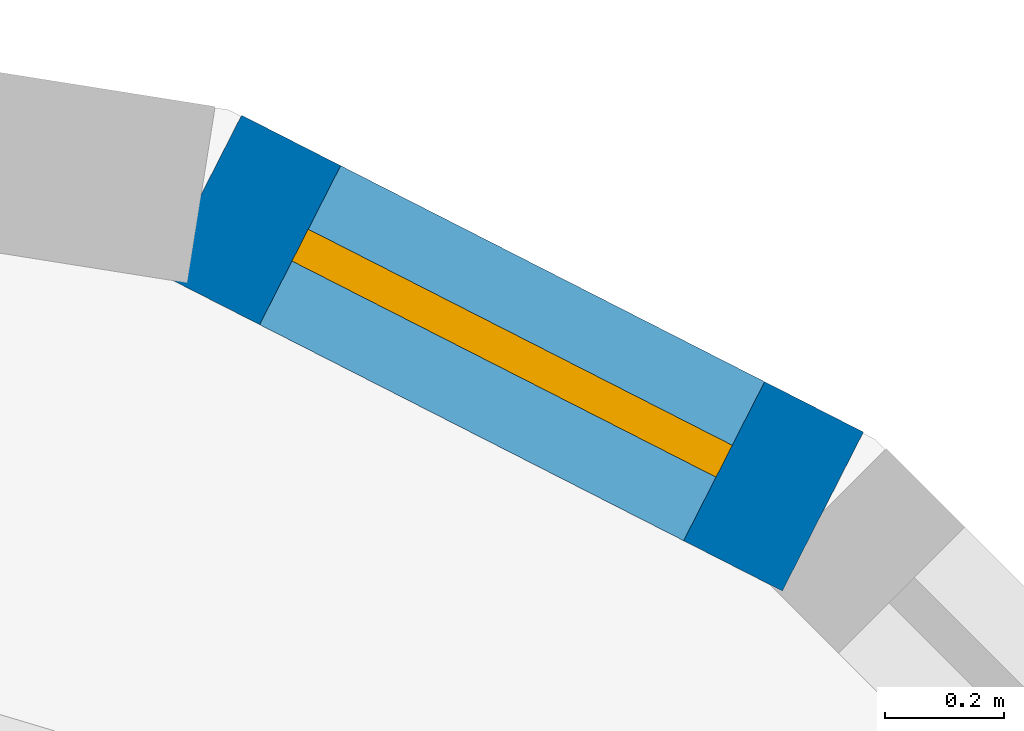
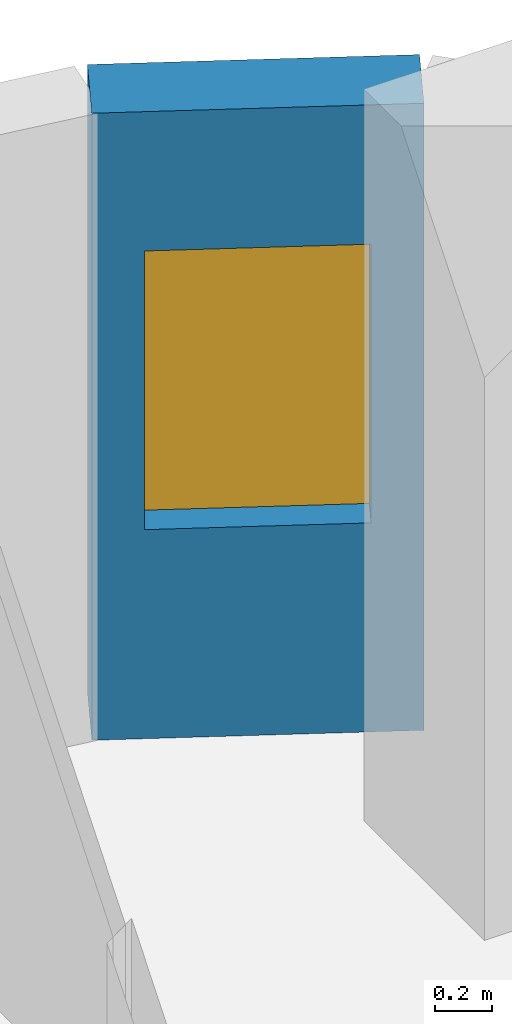
# One storey, part 10 of 14: 1 wall, 1 window, 1 opening.
"""IFC4 building model written with IfcOpenShell, lengths in metres."""

from ifc_helpers import new_model, si_unit, direction, frame, frame_2d, origin, place, context, subcontext, project, spatial, rectangle, extrude, material, layer, layer_set, type_object, element, fill, save


model = new_model("IFC4")

# Units and contexts
model_context = context("Model", 3, precision=1e-05, world=origin(), true_north=direction((0.0, 1.0)))
body_context = subcontext(model_context, "Body", "Model", "MODEL_VIEW")
ifc_project = project(units=[si_unit("LENGTHUNIT", "METRE"), si_unit("AREAUNIT", "SQUARE_METRE"), si_unit("VOLUMEUNIT", "CUBIC_METRE"), si_unit("PLANEANGLEUNIT", "RADIAN"), si_unit("MASSUNIT", "GRAM", prefix="KILO")], contexts=[model_context])

# Site, building, storey
site_placement = place(None, origin())
site = spatial("IfcSite", under=ifc_project, at=site_placement, CompositionType="ELEMENT")
building_placement = place(site_placement, origin())
building = spatial("IfcBuilding", under=site, at=building_placement, Name="Ludao Terraces", CompositionType="ELEMENT")
storey_placement = place(building_placement, frame((0.0, 0.0, 103.300048828125)))
storey = spatial("IfcBuildingStorey", under=building, at=storey_placement, Name="L28", CompositionType="ELEMENT", Elevation=103.300048828125)

# Wall, opening, window
ifc_material_1 = material(Name="Granite cladding", Category="masonry")
ifc_layer_1 = layer(ifc_material_1, 0.0400390625, Category="stone")
ifc_material_2 = material(Name="Mineral wool")
ifc_layer_2 = layer(ifc_material_2, 0.06005859375)
ifc_material_3 = material(Name="Concrete C40", Category="concrete")
ifc_layer_3 = layer(ifc_material_3, 0.199951171875, Category="concrete")
ifc_layer_set_1 = layer_set([ifc_layer_1, ifc_layer_2, ifc_layer_3], Name="ENV Stone-clad wall 300")
wall_type = type_object("IfcWallType", Name="ENV Stone-clad wall 300", PredefinedType="SOLIDWALL", material=ifc_layer_set_1)
wall_placement = place(storey_placement, frame((102.80419921875, 83.6337890625, 0.0), z_axis=(0.0, 0.0, 1.0), x_axis=(-0.890988677504, 0.454025524128, 0.0)))
wall = element("IfcWall", 1, at=wall_placement, inside=storey, type_object=wall_type, Name="EW-L28-NE4", PredefinedType="SOLIDWALL", context=body_context, shape_type="SweptSolid", body=[
    extrude(rectangle(XDim=1.17333984375, YDim=0.300048828125, at=frame_2d((0.586669921875, 0.0))), origin(), (0.0, 0.0, 1.0), 2.699951171875),
])
opening_placement = place(wall_placement, frame((0.1865234375, 0.0, 0.89990234375)))
opening = element("IfcOpeningElement", 2, at=opening_placement, cuts=wall, Name="Opening W3", PredefinedType="OPENING", context=body_context, shape_type="SweptSolid", body=[
    extrude(rectangle(XDim=0.800048828125, YDim=1.199951171875, at=frame_2d((0.39990234375, 0.60009765625))), frame((0.0, 0.16015625, 0.0), z_axis=(0.0, -1.0, 0.0), x_axis=(1.0, 0.0, 0.0)), (0.0, 0.0, 1.0), 0.320068359375),
])
ifc_material_4 = material(Name="Clear glass in aluminium frame", Category="aluminium")
ifc_layer_4 = layer(ifc_material_4, 0.06005859375)
ifc_layer_set_2 = layer_set([ifc_layer_4], Name="ENV Window W3 800x1200")
window_type = type_object("IfcWindowType", Name="ENV Window W3 800x1200", PartitioningType="SINGLE_PANEL", PredefinedType="WINDOW", material=ifc_layer_set_2)
window_placement = place(opening_placement, origin())
window = element("IfcWindow", 3, at=window_placement, inside=storey, type_object=window_type, Name="W-L28-NE4", OverallHeight=1.199951171875, OverallWidth=0.800048828125, PartitioningType="SINGLE_PANEL", PredefinedType="WINDOW", context=body_context, shape_type="SweptSolid", body=[
    extrude(rectangle(XDim=0.800048828125, YDim=1.199951171875, at=frame_2d((0.39990234375, 0.60009765625))), frame((0.0, 0.030029296875, 0.0), z_axis=(0.0, -1.0, 0.0), x_axis=(1.0, 0.0, 0.0)), (0.0, 0.0, 1.0), 0.06005859375),
])
fill(opening, window)

save(model, "model.ifc")
